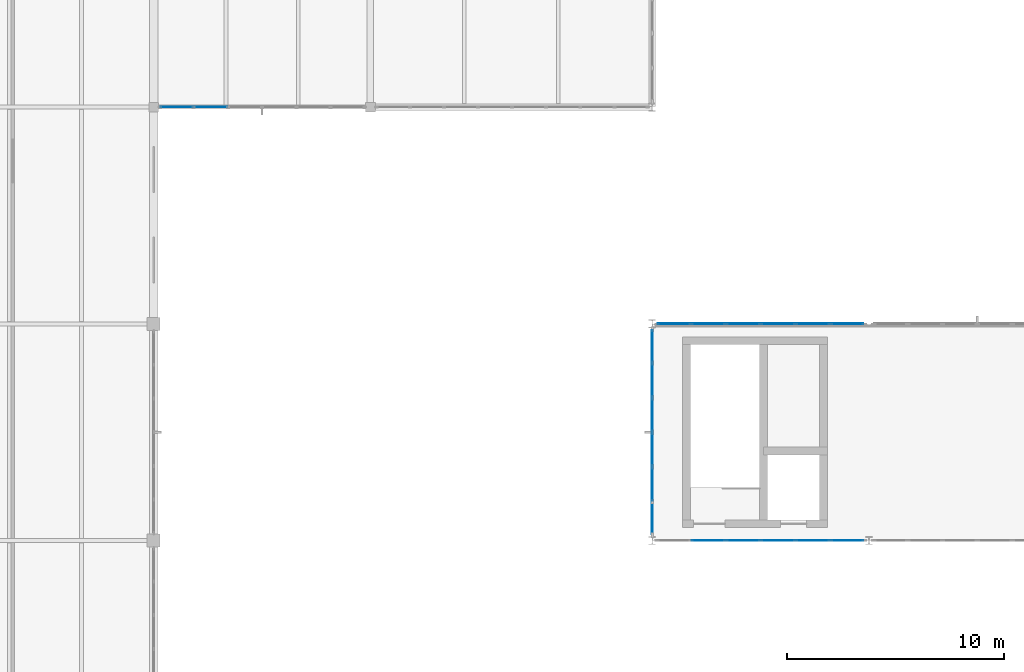
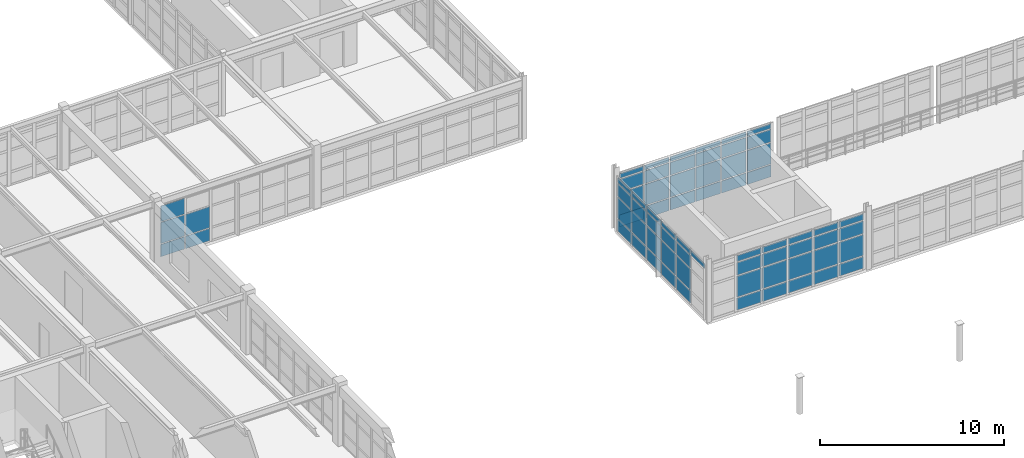
# One storey, part 77 of 122: 70 plates, 4 elements without a shape of their own.
"""IFC4 building model written with IfcOpenShell, lengths in metres."""

from ifc_helpers import new_model, si_unit, direction, frame, origin, origin_2d, place, context, subcontext, project, spatial, rectangle, extrude, material, layer, layer_set, type_object, element, aggregate, save


model = new_model("IFC4")

# Units and contexts
model_context = context("Model", 3, precision=1e-05, world=origin(), true_north=direction((0.0, 1.0)))
body_context = subcontext(model_context, "Body", "Model", "MODEL_VIEW")
ifc_project = project(units=[si_unit("LENGTHUNIT", "METRE"), si_unit("AREAUNIT", "SQUARE_METRE"), si_unit("VOLUMEUNIT", "CUBIC_METRE"), si_unit("PLANEANGLEUNIT", "RADIAN"), si_unit("MASSUNIT", "GRAM", prefix="KILO"), si_unit("THERMODYNAMICTEMPERATUREUNIT", "KELVIN"), si_unit("POWERUNIT", "WATT")], contexts=[model_context])

# Site, building, storey
site_placement = place(None, origin())
site = spatial("IfcSite", under=ifc_project, at=site_placement, CompositionType="ELEMENT")
building_placement = place(site_placement, origin())
building = spatial("IfcBuilding", under=site, at=building_placement, Name="Korenveer Ferry Terminal", CompositionType="ELEMENT")
storey_placement = place(building_placement, frame((0.0, 0.0, 10.199951171875)))
storey = spatial("IfcBuildingStorey", under=building, at=storey_placement, Name="L02", CompositionType="ELEMENT", Elevation=10.199951171875)

# Curtain wall, plates
ifc_material_1 = material(Name="Unitised bronze-and-glass curtain wall", Category="glass")
ifc_layer_1 = layer(ifc_material_1, 0.159912109375)
ifc_layer_set_1 = layer_set([ifc_layer_1], Name="Unitised bronze-and-glass curtain wall")
curtain_wall_type_1 = type_object("IfcCurtainWallType", Name="ENV-CW-89", PredefinedType="USERDEFINED", material=ifc_layer_set_1)
curtain_wall_1_placement = place(storey_placement, frame((30.2548828125, 70.0, 0.0)))
curtain_wall_1 = element("IfcCurtainWall", 1, at=curtain_wall_1_placement, inside=storey, type_object=curtain_wall_type_1, Name="Lancet curtain wall CWX-L02-X30-40-Y70-70", ObjectType="UNITISED CURTAIN WALL", PredefinedType="USERDEFINED")
ifc_material_2 = material(Name="Low-iron solar-control double glazing", Category="glass")
ifc_layer_2 = layer(ifc_material_2, 0.028076171875)
ifc_layer_set_2 = layer_set([ifc_layer_2], Name="Low-iron solar-control double glazing")
plate_type_1 = type_object("IfcPlateType", Name="ENV-CWP-GLZ28", PredefinedType="CURTAIN_PANEL", material=ifc_layer_set_2)
plate_1_placement = place(storey_placement, frame((31.060791015625, 70.0, 0.06005859375), z_axis=(0.0, 0.0, 1.0), x_axis=(1.0, 0.0, 0.0)))
plate_1 = element("IfcPlate", 2, at=plate_1_placement, type_object=plate_type_1, Name="CW-89 panel 1.1", PredefinedType="CURTAIN_PANEL", context=body_context, shape_type="SweptSolid", body=[
    extrude(rectangle(XDim=1.49169921875, YDim=0.028076171875, at=origin_2d()), origin(), (0.0, 0.0, 1.0), 0.81005859375),
])
plate_2_placement = place(storey_placement, frame((31.060791015625, 70.0, 0.93017578125), z_axis=(0.0, 0.0, 1.0), x_axis=(1.0, 0.0, 0.0)))
plate_2 = element("IfcPlate", 3, at=plate_2_placement, type_object=plate_type_1, Name="CW-89 panel 1.2", PredefinedType="CURTAIN_PANEL", context=body_context, shape_type="SweptSolid", body=[
    extrude(rectangle(XDim=1.49169921875, YDim=0.028076171875, at=origin_2d()), origin(), (0.0, 0.0, 1.0), 1.389892578125),
])
plate_3_placement = place(storey_placement, frame((31.060791015625, 70.0, 2.380126953125), z_axis=(0.0, 0.0, 1.0), x_axis=(1.0, 0.0, 0.0)))
plate_3 = element("IfcPlate", 4, at=plate_3_placement, type_object=plate_type_1, Name="CW-89 panel 1.3", PredefinedType="CURTAIN_PANEL", context=body_context, shape_type="SweptSolid", body=[
    extrude(rectangle(XDim=1.49169921875, YDim=0.028076171875, at=origin_2d()), origin(), (0.0, 0.0, 1.0), 1.0400390625),
])
plate_4_placement = place(storey_placement, frame((32.62744140625, 70.0, 0.06005859375), z_axis=(0.0, 0.0, 1.0), x_axis=(1.0, 0.0, 0.0)))
plate_4 = element("IfcPlate", 5, at=plate_4_placement, type_object=plate_type_1, Name="CW-89 panel 2.1", PredefinedType="CURTAIN_PANEL", context=body_context, shape_type="SweptSolid", body=[
    extrude(rectangle(XDim=1.521728515625, YDim=0.028076171875, at=origin_2d()), origin(), (0.0, 0.0, 1.0), 0.81005859375),
])
plate_5_placement = place(storey_placement, frame((32.62744140625, 70.0, 0.93017578125), z_axis=(0.0, 0.0, 1.0), x_axis=(1.0, 0.0, 0.0)))
plate_5 = element("IfcPlate", 6, at=plate_5_placement, type_object=plate_type_1, Name="CW-89 panel 2.2", PredefinedType="CURTAIN_PANEL", context=body_context, shape_type="SweptSolid", body=[
    extrude(rectangle(XDim=1.521728515625, YDim=0.028076171875, at=origin_2d()), origin(), (0.0, 0.0, 1.0), 1.389892578125),
])
aggregate(curtain_wall_1, [plate_1, plate_2, plate_3, plate_4, plate_5])

ifc_layer_3 = layer(ifc_material_1, 0.219970703125)
ifc_layer_set_3 = layer_set([ifc_layer_3], Name="Unitised bronze-and-glass curtain wall")
curtain_wall_type_2 = type_object("IfcCurtainWallType", Name="ENV-CW-90", PredefinedType="USERDEFINED", material=ifc_layer_set_3)
curtain_wall_2_placement = place(storey_placement, frame((53.179931640625, 50.0, 0.0)))
curtain_wall_2 = element("IfcCurtainWall", 7, at=curtain_wall_2_placement, inside=storey, type_object=curtain_wall_type_2, Name="Lancet curtain wall CWX-L02-X53-63-Y50-50", ObjectType="UNITISED CURTAIN WALL", PredefinedType="USERDEFINED")
ifc_material_3 = material(Name="Acoustic laminated marine glazing", Category="glass")
ifc_layer_4 = layer(ifc_material_3, 0.035888671875)
ifc_layer_set_4 = layer_set([ifc_layer_4], Name="Acoustic laminated marine glazing")
plate_type_2 = type_object("IfcPlateType", Name="ENV-CWP-GLZ36", PredefinedType="CURTAIN_PANEL", material=ifc_layer_set_4)
plate_6_placement = place(storey_placement, frame((55.590087890625, 50.0, 0.074951171875), z_axis=(0.0, 0.0, 1.0), x_axis=(1.0, 0.0, 0.0)))
plate_6 = element("IfcPlate", 8, at=plate_6_placement, type_object=plate_type_2, Name="CW-90 panel 2.1", PredefinedType="CURTAIN_PANEL", context=body_context, shape_type="SweptSolid", body=[
    extrude(rectangle(XDim=1.53173828125, YDim=0.035888671875, at=origin_2d()), origin(), (0.0, 0.0, 1.0), 0.78759765625),
])
plate_7_placement = place(storey_placement, frame((55.590087890625, 50.0, 0.9375), z_axis=(0.0, 0.0, 1.0), x_axis=(1.0, 0.0, 0.0)))
plate_7 = element("IfcPlate", 9, at=plate_7_placement, type_object=plate_type_2, Name="CW-90 panel 2.2", PredefinedType="CURTAIN_PANEL", context=body_context, shape_type="SweptSolid", body=[
    extrude(rectangle(XDim=1.53173828125, YDim=0.035888671875, at=origin_2d()), origin(), (0.0, 0.0, 1.0), 1.375),
])
plate_8_placement = place(storey_placement, frame((55.590087890625, 50.0, 2.3876953125), z_axis=(0.0, 0.0, 1.0), x_axis=(1.0, 0.0, 0.0)))
plate_8 = element("IfcPlate", 10, at=plate_8_placement, type_object=plate_type_2, Name="CW-90 panel 2.3", PredefinedType="CURTAIN_PANEL", context=body_context, shape_type="SweptSolid", body=[
    extrude(rectangle(XDim=1.53173828125, YDim=0.035888671875, at=origin_2d()), origin(), (0.0, 0.0, 1.0), 0.824951171875),
])
plate_9_placement = place(storey_placement, frame((55.590087890625, 50.0, 3.28759765625), z_axis=(0.0, 0.0, 1.0), x_axis=(1.0, 0.0, 0.0)))
plate_9 = element("IfcPlate", 11, at=plate_9_placement, type_object=plate_type_2, Name="CW-90 panel 2.4", PredefinedType="CURTAIN_PANEL", context=body_context, shape_type="SweptSolid", body=[
    extrude(rectangle(XDim=1.53173828125, YDim=0.035888671875, at=origin_2d()), origin(), (0.0, 0.0, 1.0), 0.3974609375),
])
plate_10_placement = place(storey_placement, frame((57.19677734375, 50.0, 0.074951171875), z_axis=(0.0, 0.0, 1.0), x_axis=(1.0, 0.0, 0.0)))
plate_10 = element("IfcPlate", 12, at=plate_10_placement, type_object=plate_type_2, Name="CW-90 panel 3.1", PredefinedType="CURTAIN_PANEL", context=body_context, shape_type="SweptSolid", body=[
    extrude(rectangle(XDim=1.53173828125, YDim=0.035888671875, at=origin_2d()), origin(), (0.0, 0.0, 1.0), 0.78759765625),
])
plate_11_placement = place(storey_placement, frame((57.19677734375, 50.0, 0.9375), z_axis=(0.0, 0.0, 1.0), x_axis=(1.0, 0.0, 0.0)))
plate_11 = element("IfcPlate", 13, at=plate_11_placement, type_object=plate_type_2, Name="CW-90 panel 3.2", PredefinedType="CURTAIN_PANEL", context=body_context, shape_type="SweptSolid", body=[
    extrude(rectangle(XDim=1.53173828125, YDim=0.035888671875, at=origin_2d()), origin(), (0.0, 0.0, 1.0), 1.375),
])
plate_12_placement = place(storey_placement, frame((57.19677734375, 50.0, 2.3876953125), z_axis=(0.0, 0.0, 1.0), x_axis=(1.0, 0.0, 0.0)))
plate_12 = element("IfcPlate", 14, at=plate_12_placement, type_object=plate_type_2, Name="CW-90 panel 3.3", PredefinedType="CURTAIN_PANEL", context=body_context, shape_type="SweptSolid", body=[
    extrude(rectangle(XDim=1.53173828125, YDim=0.035888671875, at=origin_2d()), origin(), (0.0, 0.0, 1.0), 0.824951171875),
])
plate_13_placement = place(storey_placement, frame((57.19677734375, 50.0, 3.28759765625), z_axis=(0.0, 0.0, 1.0), x_axis=(1.0, 0.0, 0.0)))
plate_13 = element("IfcPlate", 15, at=plate_13_placement, type_object=plate_type_2, Name="CW-90 panel 3.4", PredefinedType="CURTAIN_PANEL", context=body_context, shape_type="SweptSolid", body=[
    extrude(rectangle(XDim=1.53173828125, YDim=0.035888671875, at=origin_2d()), origin(), (0.0, 0.0, 1.0), 0.3974609375),
])
plate_14_placement = place(storey_placement, frame((58.80322265625, 50.0, 0.074951171875), z_axis=(0.0, 0.0, 1.0), x_axis=(1.0, 0.0, 0.0)))
plate_14 = element("IfcPlate", 16, at=plate_14_placement, type_object=plate_type_2, Name="CW-90 panel 4.1", PredefinedType="CURTAIN_PANEL", context=body_context, shape_type="SweptSolid", body=[
    extrude(rectangle(XDim=1.53173828125, YDim=0.035888671875, at=origin_2d()), origin(), (0.0, 0.0, 1.0), 0.78759765625),
])
plate_15_placement = place(storey_placement, frame((58.80322265625, 50.0, 0.9375), z_axis=(0.0, 0.0, 1.0), x_axis=(1.0, 0.0, 0.0)))
plate_15 = element("IfcPlate", 17, at=plate_15_placement, type_object=plate_type_2, Name="CW-90 panel 4.2", PredefinedType="CURTAIN_PANEL", context=body_context, shape_type="SweptSolid", body=[
    extrude(rectangle(XDim=1.53173828125, YDim=0.035888671875, at=origin_2d()), origin(), (0.0, 0.0, 1.0), 1.375),
])
plate_16_placement = place(storey_placement, frame((58.80322265625, 50.0, 2.3876953125), z_axis=(0.0, 0.0, 1.0), x_axis=(1.0, 0.0, 0.0)))
plate_16 = element("IfcPlate", 18, at=plate_16_placement, type_object=plate_type_2, Name="CW-90 panel 4.3", PredefinedType="CURTAIN_PANEL", context=body_context, shape_type="SweptSolid", body=[
    extrude(rectangle(XDim=1.53173828125, YDim=0.035888671875, at=origin_2d()), origin(), (0.0, 0.0, 1.0), 0.824951171875),
])
plate_17_placement = place(storey_placement, frame((58.80322265625, 50.0, 3.28759765625), z_axis=(0.0, 0.0, 1.0), x_axis=(1.0, 0.0, 0.0)))
plate_17 = element("IfcPlate", 19, at=plate_17_placement, type_object=plate_type_2, Name="CW-90 panel 4.4", PredefinedType="CURTAIN_PANEL", context=body_context, shape_type="SweptSolid", body=[
    extrude(rectangle(XDim=1.53173828125, YDim=0.035888671875, at=origin_2d()), origin(), (0.0, 0.0, 1.0), 0.3974609375),
])
plate_18_placement = place(storey_placement, frame((60.409912109375, 50.0, 0.074951171875), z_axis=(0.0, 0.0, 1.0), x_axis=(1.0, 0.0, 0.0)))
plate_18 = element("IfcPlate", 20, at=plate_18_placement, type_object=plate_type_2, Name="CW-90 panel 5.1", PredefinedType="CURTAIN_PANEL", context=body_context, shape_type="SweptSolid", body=[
    extrude(rectangle(XDim=1.53173828125, YDim=0.035888671875, at=origin_2d()), origin(), (0.0, 0.0, 1.0), 0.78759765625),
])
plate_19_placement = place(storey_placement, frame((60.409912109375, 50.0, 0.9375), z_axis=(0.0, 0.0, 1.0), x_axis=(1.0, 0.0, 0.0)))
plate_19 = element("IfcPlate", 21, at=plate_19_placement, type_object=plate_type_2, Name="CW-90 panel 5.2", PredefinedType="CURTAIN_PANEL", context=body_context, shape_type="SweptSolid", body=[
    extrude(rectangle(XDim=1.53173828125, YDim=0.035888671875, at=origin_2d()), origin(), (0.0, 0.0, 1.0), 1.375),
])
plate_20_placement = place(storey_placement, frame((60.409912109375, 50.0, 2.3876953125), z_axis=(0.0, 0.0, 1.0), x_axis=(1.0, 0.0, 0.0)))
plate_20 = element("IfcPlate", 22, at=plate_20_placement, type_object=plate_type_2, Name="CW-90 panel 5.3", PredefinedType="CURTAIN_PANEL", context=body_context, shape_type="SweptSolid", body=[
    extrude(rectangle(XDim=1.53173828125, YDim=0.035888671875, at=origin_2d()), origin(), (0.0, 0.0, 1.0), 0.824951171875),
])
plate_21_placement = place(storey_placement, frame((60.409912109375, 50.0, 3.28759765625), z_axis=(0.0, 0.0, 1.0), x_axis=(1.0, 0.0, 0.0)))
plate_21 = element("IfcPlate", 23, at=plate_21_placement, type_object=plate_type_2, Name="CW-90 panel 5.4", PredefinedType="CURTAIN_PANEL", context=body_context, shape_type="SweptSolid", body=[
    extrude(rectangle(XDim=1.53173828125, YDim=0.035888671875, at=origin_2d()), origin(), (0.0, 0.0, 1.0), 0.3974609375),
])
plate_22_placement = place(storey_placement, frame((61.997802734375, 50.0, 0.074951171875), z_axis=(0.0, 0.0, 1.0), x_axis=(1.0, 0.0, 0.0)))
plate_22 = element("IfcPlate", 24, at=plate_22_placement, type_object=plate_type_2, Name="CW-90 panel 6.1", PredefinedType="CURTAIN_PANEL", context=body_context, shape_type="SweptSolid", body=[
    extrude(rectangle(XDim=1.494140625, YDim=0.035888671875, at=origin_2d()), origin(), (0.0, 0.0, 1.0), 0.78759765625),
])
plate_23_placement = place(storey_placement, frame((61.997802734375, 50.0, 0.9375), z_axis=(0.0, 0.0, 1.0), x_axis=(1.0, 0.0, 0.0)))
plate_23 = element("IfcPlate", 25, at=plate_23_placement, type_object=plate_type_2, Name="CW-90 panel 6.2", PredefinedType="CURTAIN_PANEL", context=body_context, shape_type="SweptSolid", body=[
    extrude(rectangle(XDim=1.494140625, YDim=0.035888671875, at=origin_2d()), origin(), (0.0, 0.0, 1.0), 1.375),
])
plate_24_placement = place(storey_placement, frame((61.997802734375, 50.0, 2.3876953125), z_axis=(0.0, 0.0, 1.0), x_axis=(1.0, 0.0, 0.0)))
plate_24 = element("IfcPlate", 26, at=plate_24_placement, type_object=plate_type_2, Name="CW-90 panel 6.3", PredefinedType="CURTAIN_PANEL", context=body_context, shape_type="SweptSolid", body=[
    extrude(rectangle(XDim=1.494140625, YDim=0.035888671875, at=origin_2d()), origin(), (0.0, 0.0, 1.0), 0.824951171875),
])
plate_25_placement = place(storey_placement, frame((61.997802734375, 50.0, 3.28759765625), z_axis=(0.0, 0.0, 1.0), x_axis=(1.0, 0.0, 0.0)))
plate_25 = element("IfcPlate", 27, at=plate_25_placement, type_object=plate_type_2, Name="CW-90 panel 6.4", PredefinedType="CURTAIN_PANEL", context=body_context, shape_type="SweptSolid", body=[
    extrude(rectangle(XDim=1.494140625, YDim=0.035888671875, at=origin_2d()), origin(), (0.0, 0.0, 1.0), 0.3974609375),
])
aggregate(curtain_wall_2, [plate_6, plate_7, plate_8, plate_9, plate_10, plate_11, plate_12, plate_13, plate_14, plate_15, plate_16, plate_17, plate_18, plate_19, plate_20, plate_21, plate_22, plate_23, plate_24, plate_25])

ifc_layer_5 = layer(ifc_material_1, 0.219970703125)
ifc_layer_set_5 = layer_set([ifc_layer_5], Name="Unitised bronze-and-glass curtain wall")
curtain_wall_type_3 = type_object("IfcCurtainWallType", Name="ENV-CW-91", PredefinedType="USERDEFINED", material=ifc_layer_set_5)
curtain_wall_3_placement = place(storey_placement, frame((53.179931640625, 60.0, 0.0)))
curtain_wall_3 = element("IfcCurtainWall", 28, at=curtain_wall_3_placement, inside=storey, type_object=curtain_wall_type_3, Name="Lancet curtain wall CWX-L02-X53-63-Y60-60", ObjectType="UNITISED CURTAIN WALL", PredefinedType="USERDEFINED")
plate_26_placement = place(storey_placement, frame((54.002197265625, 60.0, 0.074951171875), z_axis=(0.0, 0.0, 1.0), x_axis=(1.0, 0.0, 0.0)))
plate_26 = element("IfcPlate", 29, at=plate_26_placement, type_object=plate_type_2, Name="CW-91 panel 1.1", PredefinedType="CURTAIN_PANEL", context=body_context, shape_type="SweptSolid", body=[
    extrude(rectangle(XDim=1.494140625, YDim=0.035888671875, at=origin_2d()), origin(), (0.0, 0.0, 1.0), 0.78759765625),
])
plate_27_placement = place(storey_placement, frame((54.002197265625, 60.0, 0.9375), z_axis=(0.0, 0.0, 1.0), x_axis=(1.0, 0.0, 0.0)))
plate_27 = element("IfcPlate", 30, at=plate_27_placement, type_object=plate_type_2, Name="CW-91 panel 1.2", PredefinedType="CURTAIN_PANEL", context=body_context, shape_type="SweptSolid", body=[
    extrude(rectangle(XDim=1.494140625, YDim=0.035888671875, at=origin_2d()), origin(), (0.0, 0.0, 1.0), 1.375),
])
plate_28_placement = place(storey_placement, frame((54.002197265625, 60.0, 2.3876953125), z_axis=(0.0, 0.0, 1.0), x_axis=(1.0, 0.0, 0.0)))
plate_28 = element("IfcPlate", 31, at=plate_28_placement, type_object=plate_type_2, Name="CW-91 panel 1.3", PredefinedType="CURTAIN_PANEL", context=body_context, shape_type="SweptSolid", body=[
    extrude(rectangle(XDim=1.494140625, YDim=0.035888671875, at=origin_2d()), origin(), (0.0, 0.0, 1.0), 0.824951171875),
])
plate_29_placement = place(storey_placement, frame((54.002197265625, 60.0, 3.28759765625), z_axis=(0.0, 0.0, 1.0), x_axis=(1.0, 0.0, 0.0)))
plate_29 = element("IfcPlate", 32, at=plate_29_placement, type_object=plate_type_2, Name="CW-91 panel 1.4", PredefinedType="CURTAIN_PANEL", context=body_context, shape_type="SweptSolid", body=[
    extrude(rectangle(XDim=1.494140625, YDim=0.035888671875, at=origin_2d()), origin(), (0.0, 0.0, 1.0), 0.297607421875),
])
plate_30_placement = place(storey_placement, frame((55.590087890625, 60.0, 0.074951171875), z_axis=(0.0, 0.0, 1.0), x_axis=(1.0, 0.0, 0.0)))
plate_30 = element("IfcPlate", 33, at=plate_30_placement, type_object=plate_type_2, Name="CW-91 panel 2.1", PredefinedType="CURTAIN_PANEL", context=body_context, shape_type="SweptSolid", body=[
    extrude(rectangle(XDim=1.53173828125, YDim=0.035888671875, at=origin_2d()), origin(), (0.0, 0.0, 1.0), 0.78759765625),
])
plate_31_placement = place(storey_placement, frame((55.590087890625, 60.0, 0.9375), z_axis=(0.0, 0.0, 1.0), x_axis=(1.0, 0.0, 0.0)))
plate_31 = element("IfcPlate", 34, at=plate_31_placement, type_object=plate_type_2, Name="CW-91 panel 2.2", PredefinedType="CURTAIN_PANEL", context=body_context, shape_type="SweptSolid", body=[
    extrude(rectangle(XDim=1.53173828125, YDim=0.035888671875, at=origin_2d()), origin(), (0.0, 0.0, 1.0), 1.375),
])
plate_32_placement = place(storey_placement, frame((55.590087890625, 60.0, 2.3876953125), z_axis=(0.0, 0.0, 1.0), x_axis=(1.0, 0.0, 0.0)))
plate_32 = element("IfcPlate", 35, at=plate_32_placement, type_object=plate_type_2, Name="CW-91 panel 2.3", PredefinedType="CURTAIN_PANEL", context=body_context, shape_type="SweptSolid", body=[
    extrude(rectangle(XDim=1.53173828125, YDim=0.035888671875, at=origin_2d()), origin(), (0.0, 0.0, 1.0), 0.824951171875),
])
plate_33_placement = place(storey_placement, frame((55.590087890625, 60.0, 3.28759765625), z_axis=(0.0, 0.0, 1.0), x_axis=(1.0, 0.0, 0.0)))
plate_33 = element("IfcPlate", 36, at=plate_33_placement, type_object=plate_type_2, Name="CW-91 panel 2.4", PredefinedType="CURTAIN_PANEL", context=body_context, shape_type="SweptSolid", body=[
    extrude(rectangle(XDim=1.53173828125, YDim=0.035888671875, at=origin_2d()), origin(), (0.0, 0.0, 1.0), 0.297607421875),
])
plate_34_placement = place(storey_placement, frame((57.19677734375, 60.0, 0.074951171875), z_axis=(0.0, 0.0, 1.0), x_axis=(1.0, 0.0, 0.0)))
plate_34 = element("IfcPlate", 37, at=plate_34_placement, type_object=plate_type_2, Name="CW-91 panel 3.1", PredefinedType="CURTAIN_PANEL", context=body_context, shape_type="SweptSolid", body=[
    extrude(rectangle(XDim=1.53173828125, YDim=0.035888671875, at=origin_2d()), origin(), (0.0, 0.0, 1.0), 0.78759765625),
])
plate_35_placement = place(storey_placement, frame((57.19677734375, 60.0, 0.9375), z_axis=(0.0, 0.0, 1.0), x_axis=(1.0, 0.0, 0.0)))
plate_35 = element("IfcPlate", 38, at=plate_35_placement, type_object=plate_type_2, Name="CW-91 panel 3.2", PredefinedType="CURTAIN_PANEL", context=body_context, shape_type="SweptSolid", body=[
    extrude(rectangle(XDim=1.53173828125, YDim=0.035888671875, at=origin_2d()), origin(), (0.0, 0.0, 1.0), 1.375),
])
plate_36_placement = place(storey_placement, frame((57.19677734375, 60.0, 2.3876953125), z_axis=(0.0, 0.0, 1.0), x_axis=(1.0, 0.0, 0.0)))
plate_36 = element("IfcPlate", 39, at=plate_36_placement, type_object=plate_type_2, Name="CW-91 panel 3.3", PredefinedType="CURTAIN_PANEL", context=body_context, shape_type="SweptSolid", body=[
    extrude(rectangle(XDim=1.53173828125, YDim=0.035888671875, at=origin_2d()), origin(), (0.0, 0.0, 1.0), 0.824951171875),
])
plate_37_placement = place(storey_placement, frame((57.19677734375, 60.0, 3.28759765625), z_axis=(0.0, 0.0, 1.0), x_axis=(1.0, 0.0, 0.0)))
plate_37 = element("IfcPlate", 40, at=plate_37_placement, type_object=plate_type_2, Name="CW-91 panel 3.4", PredefinedType="CURTAIN_PANEL", context=body_context, shape_type="SweptSolid", body=[
    extrude(rectangle(XDim=1.53173828125, YDim=0.035888671875, at=origin_2d()), origin(), (0.0, 0.0, 1.0), 0.297607421875),
])
plate_38_placement = place(storey_placement, frame((58.80322265625, 60.0, 0.074951171875), z_axis=(0.0, 0.0, 1.0), x_axis=(1.0, 0.0, 0.0)))
plate_38 = element("IfcPlate", 41, at=plate_38_placement, type_object=plate_type_2, Name="CW-91 panel 4.1", PredefinedType="CURTAIN_PANEL", context=body_context, shape_type="SweptSolid", body=[
    extrude(rectangle(XDim=1.53173828125, YDim=0.035888671875, at=origin_2d()), origin(), (0.0, 0.0, 1.0), 0.78759765625),
])
plate_39_placement = place(storey_placement, frame((58.80322265625, 60.0, 0.9375), z_axis=(0.0, 0.0, 1.0), x_axis=(1.0, 0.0, 0.0)))
plate_39 = element("IfcPlate", 42, at=plate_39_placement, type_object=plate_type_2, Name="CW-91 panel 4.2", PredefinedType="CURTAIN_PANEL", context=body_context, shape_type="SweptSolid", body=[
    extrude(rectangle(XDim=1.53173828125, YDim=0.035888671875, at=origin_2d()), origin(), (0.0, 0.0, 1.0), 1.375),
])
plate_40_placement = place(storey_placement, frame((58.80322265625, 60.0, 2.3876953125), z_axis=(0.0, 0.0, 1.0), x_axis=(1.0, 0.0, 0.0)))
plate_40 = element("IfcPlate", 43, at=plate_40_placement, type_object=plate_type_2, Name="CW-91 panel 4.3", PredefinedType="CURTAIN_PANEL", context=body_context, shape_type="SweptSolid", body=[
    extrude(rectangle(XDim=1.53173828125, YDim=0.035888671875, at=origin_2d()), origin(), (0.0, 0.0, 1.0), 0.824951171875),
])
plate_41_placement = place(storey_placement, frame((58.80322265625, 60.0, 3.28759765625), z_axis=(0.0, 0.0, 1.0), x_axis=(1.0, 0.0, 0.0)))
plate_41 = element("IfcPlate", 44, at=plate_41_placement, type_object=plate_type_2, Name="CW-91 panel 4.4", PredefinedType="CURTAIN_PANEL", context=body_context, shape_type="SweptSolid", body=[
    extrude(rectangle(XDim=1.53173828125, YDim=0.035888671875, at=origin_2d()), origin(), (0.0, 0.0, 1.0), 0.297607421875),
])
plate_42_placement = place(storey_placement, frame((60.409912109375, 60.0, 0.074951171875), z_axis=(0.0, 0.0, 1.0), x_axis=(1.0, 0.0, 0.0)))
plate_42 = element("IfcPlate", 45, at=plate_42_placement, type_object=plate_type_2, Name="CW-91 panel 5.1", PredefinedType="CURTAIN_PANEL", context=body_context, shape_type="SweptSolid", body=[
    extrude(rectangle(XDim=1.53173828125, YDim=0.035888671875, at=origin_2d()), origin(), (0.0, 0.0, 1.0), 0.78759765625),
])
plate_43_placement = place(storey_placement, frame((60.409912109375, 60.0, 0.9375), z_axis=(0.0, 0.0, 1.0), x_axis=(1.0, 0.0, 0.0)))
plate_43 = element("IfcPlate", 46, at=plate_43_placement, type_object=plate_type_2, Name="CW-91 panel 5.2", PredefinedType="CURTAIN_PANEL", context=body_context, shape_type="SweptSolid", body=[
    extrude(rectangle(XDim=1.53173828125, YDim=0.035888671875, at=origin_2d()), origin(), (0.0, 0.0, 1.0), 1.375),
])
plate_44_placement = place(storey_placement, frame((60.409912109375, 60.0, 2.3876953125), z_axis=(0.0, 0.0, 1.0), x_axis=(1.0, 0.0, 0.0)))
plate_44 = element("IfcPlate", 47, at=plate_44_placement, type_object=plate_type_2, Name="CW-91 panel 5.3", PredefinedType="CURTAIN_PANEL", context=body_context, shape_type="SweptSolid", body=[
    extrude(rectangle(XDim=1.53173828125, YDim=0.035888671875, at=origin_2d()), origin(), (0.0, 0.0, 1.0), 0.824951171875),
])
plate_45_placement = place(storey_placement, frame((60.409912109375, 60.0, 3.28759765625), z_axis=(0.0, 0.0, 1.0), x_axis=(1.0, 0.0, 0.0)))
plate_45 = element("IfcPlate", 48, at=plate_45_placement, type_object=plate_type_2, Name="CW-91 panel 5.4", PredefinedType="CURTAIN_PANEL", context=body_context, shape_type="SweptSolid", body=[
    extrude(rectangle(XDim=1.53173828125, YDim=0.035888671875, at=origin_2d()), origin(), (0.0, 0.0, 1.0), 0.297607421875),
])
plate_46_placement = place(storey_placement, frame((61.997802734375, 60.0, 0.074951171875), z_axis=(0.0, 0.0, 1.0), x_axis=(1.0, 0.0, 0.0)))
plate_46 = element("IfcPlate", 49, at=plate_46_placement, type_object=plate_type_2, Name="CW-91 panel 6.1", PredefinedType="CURTAIN_PANEL", context=body_context, shape_type="SweptSolid", body=[
    extrude(rectangle(XDim=1.494140625, YDim=0.035888671875, at=origin_2d()), origin(), (0.0, 0.0, 1.0), 0.78759765625),
])
plate_47_placement = place(storey_placement, frame((61.997802734375, 60.0, 0.9375), z_axis=(0.0, 0.0, 1.0), x_axis=(1.0, 0.0, 0.0)))
plate_47 = element("IfcPlate", 50, at=plate_47_placement, type_object=plate_type_2, Name="CW-91 panel 6.2", PredefinedType="CURTAIN_PANEL", context=body_context, shape_type="SweptSolid", body=[
    extrude(rectangle(XDim=1.494140625, YDim=0.035888671875, at=origin_2d()), origin(), (0.0, 0.0, 1.0), 1.375),
])
plate_48_placement = place(storey_placement, frame((61.997802734375, 60.0, 2.3876953125), z_axis=(0.0, 0.0, 1.0), x_axis=(1.0, 0.0, 0.0)))
plate_48 = element("IfcPlate", 51, at=plate_48_placement, type_object=plate_type_2, Name="CW-91 panel 6.3", PredefinedType="CURTAIN_PANEL", context=body_context, shape_type="SweptSolid", body=[
    extrude(rectangle(XDim=1.494140625, YDim=0.035888671875, at=origin_2d()), origin(), (0.0, 0.0, 1.0), 0.824951171875),
])
plate_49_placement = place(storey_placement, frame((61.997802734375, 60.0, 3.28759765625), z_axis=(0.0, 0.0, 1.0), x_axis=(1.0, 0.0, 0.0)))
plate_49 = element("IfcPlate", 52, at=plate_49_placement, type_object=plate_type_2, Name="CW-91 panel 6.4", PredefinedType="CURTAIN_PANEL", context=body_context, shape_type="SweptSolid", body=[
    extrude(rectangle(XDim=1.494140625, YDim=0.035888671875, at=origin_2d()), origin(), (0.0, 0.0, 1.0), 0.297607421875),
])
aggregate(curtain_wall_3, [plate_26, plate_27, plate_28, plate_29, plate_30, plate_31, plate_32, plate_33, plate_34, plate_35, plate_36, plate_37, plate_38, plate_39, plate_40, plate_41, plate_42, plate_43, plate_44, plate_45, plate_46, plate_47, plate_48, plate_49])

ifc_layer_6 = layer(ifc_material_1, 0.219970703125)
ifc_layer_set_6 = layer_set([ifc_layer_6], Name="Unitised bronze-and-glass curtain wall")
curtain_wall_type_4 = type_object("IfcCurtainWallType", Name="ENV-CW-115", PredefinedType="USERDEFINED", material=ifc_layer_set_6)
curtain_wall_4_placement = place(storey_placement, frame((53.0, 50.2099609375, 0.0)))
curtain_wall_4 = element("IfcCurtainWall", 53, at=curtain_wall_4_placement, inside=storey, type_object=curtain_wall_type_4, Name="Lancet curtain wall CWX-L02-X53-53-Y50-60", ObjectType="UNITISED CURTAIN WALL", PredefinedType="USERDEFINED")
plate_50_placement = place(storey_placement, frame((53.0, 51.027099609375, 3.28759765625), z_axis=(0.0, 0.0, 1.0), x_axis=(0.0, 1.0, 0.0)))
plate_50 = element("IfcPlate", 54, at=plate_50_placement, type_object=plate_type_2, Name="CW-115 panel 1.4", PredefinedType="CURTAIN_PANEL", context=body_context, shape_type="SweptSolid", body=[
    extrude(rectangle(XDim=1.484130859375, YDim=0.035888671875, at=origin_2d()), origin(), (0.0, 0.0, 1.0), 0.297607421875),
])
plate_51_placement = place(storey_placement, frame((53.0, 52.60498046875, 0.074951171875), z_axis=(0.0, 0.0, 1.0), x_axis=(0.0, 1.0, 0.0)))
plate_51 = element("IfcPlate", 55, at=plate_51_placement, type_object=plate_type_2, Name="CW-115 panel 2.1", PredefinedType="CURTAIN_PANEL", context=body_context, shape_type="SweptSolid", body=[
    extrude(rectangle(XDim=1.521728515625, YDim=0.035888671875, at=origin_2d()), origin(), (0.0, 0.0, 1.0), 0.78759765625),
])
plate_52_placement = place(storey_placement, frame((53.0, 52.60498046875, 0.9375), z_axis=(0.0, 0.0, 1.0), x_axis=(0.0, 1.0, 0.0)))
plate_52 = element("IfcPlate", 56, at=plate_52_placement, type_object=plate_type_2, Name="CW-115 panel 2.2", PredefinedType="CURTAIN_PANEL", context=body_context, shape_type="SweptSolid", body=[
    extrude(rectangle(XDim=1.521728515625, YDim=0.035888671875, at=origin_2d()), origin(), (0.0, 0.0, 1.0), 1.375),
])
plate_53_placement = place(storey_placement, frame((53.0, 52.60498046875, 2.3876953125), z_axis=(0.0, 0.0, 1.0), x_axis=(0.0, 1.0, 0.0)))
plate_53 = element("IfcPlate", 57, at=plate_53_placement, type_object=plate_type_2, Name="CW-115 panel 2.3", PredefinedType="CURTAIN_PANEL", context=body_context, shape_type="SweptSolid", body=[
    extrude(rectangle(XDim=1.521728515625, YDim=0.035888671875, at=origin_2d()), origin(), (0.0, 0.0, 1.0), 0.824951171875),
])
plate_54_placement = place(storey_placement, frame((53.0, 52.60498046875, 3.28759765625), z_axis=(0.0, 0.0, 1.0), x_axis=(0.0, 1.0, 0.0)))
plate_54 = element("IfcPlate", 58, at=plate_54_placement, type_object=plate_type_2, Name="CW-115 panel 2.4", PredefinedType="CURTAIN_PANEL", context=body_context, shape_type="SweptSolid", body=[
    extrude(rectangle(XDim=1.521728515625, YDim=0.035888671875, at=origin_2d()), origin(), (0.0, 0.0, 1.0), 0.297607421875),
])
plate_55_placement = place(storey_placement, frame((53.0, 54.20166015625, 0.074951171875), z_axis=(0.0, 0.0, 1.0), x_axis=(0.0, 1.0, 0.0)))
plate_55 = element("IfcPlate", 59, at=plate_55_placement, type_object=plate_type_2, Name="CW-115 panel 3.1", PredefinedType="CURTAIN_PANEL", context=body_context, shape_type="SweptSolid", body=[
    extrude(rectangle(XDim=1.521728515625, YDim=0.035888671875, at=origin_2d()), origin(), (0.0, 0.0, 1.0), 0.78759765625),
])
plate_56_placement = place(storey_placement, frame((53.0, 54.20166015625, 0.9375), z_axis=(0.0, 0.0, 1.0), x_axis=(0.0, 1.0, 0.0)))
plate_56 = element("IfcPlate", 60, at=plate_56_placement, type_object=plate_type_2, Name="CW-115 panel 3.2", PredefinedType="CURTAIN_PANEL", context=body_context, shape_type="SweptSolid", body=[
    extrude(rectangle(XDim=1.521728515625, YDim=0.035888671875, at=origin_2d()), origin(), (0.0, 0.0, 1.0), 1.375),
])
plate_57_placement = place(storey_placement, frame((53.0, 54.20166015625, 2.3876953125), z_axis=(0.0, 0.0, 1.0), x_axis=(0.0, 1.0, 0.0)))
plate_57 = element("IfcPlate", 61, at=plate_57_placement, type_object=plate_type_2, Name="CW-115 panel 3.3", PredefinedType="CURTAIN_PANEL", context=body_context, shape_type="SweptSolid", body=[
    extrude(rectangle(XDim=1.521728515625, YDim=0.035888671875, at=origin_2d()), origin(), (0.0, 0.0, 1.0), 0.824951171875),
])
plate_58_placement = place(storey_placement, frame((53.0, 54.20166015625, 3.28759765625), z_axis=(0.0, 0.0, 1.0), x_axis=(0.0, 1.0, 0.0)))
plate_58 = element("IfcPlate", 62, at=plate_58_placement, type_object=plate_type_2, Name="CW-115 panel 3.4", PredefinedType="CURTAIN_PANEL", context=body_context, shape_type="SweptSolid", body=[
    extrude(rectangle(XDim=1.521728515625, YDim=0.035888671875, at=origin_2d()), origin(), (0.0, 0.0, 1.0), 0.297607421875),
])
plate_59_placement = place(storey_placement, frame((53.0, 55.79833984375, 0.074951171875), z_axis=(0.0, 0.0, 1.0), x_axis=(0.0, 1.0, 0.0)))
plate_59 = element("IfcPlate", 63, at=plate_59_placement, type_object=plate_type_2, Name="CW-115 panel 4.1", PredefinedType="CURTAIN_PANEL", context=body_context, shape_type="SweptSolid", body=[
    extrude(rectangle(XDim=1.521728515625, YDim=0.035888671875, at=origin_2d()), origin(), (0.0, 0.0, 1.0), 0.78759765625),
])
plate_60_placement = place(storey_placement, frame((53.0, 55.79833984375, 0.9375), z_axis=(0.0, 0.0, 1.0), x_axis=(0.0, 1.0, 0.0)))
plate_60 = element("IfcPlate", 64, at=plate_60_placement, type_object=plate_type_2, Name="CW-115 panel 4.2", PredefinedType="CURTAIN_PANEL", context=body_context, shape_type="SweptSolid", body=[
    extrude(rectangle(XDim=1.521728515625, YDim=0.035888671875, at=origin_2d()), origin(), (0.0, 0.0, 1.0), 1.375),
])
plate_61_placement = place(storey_placement, frame((53.0, 55.79833984375, 2.3876953125), z_axis=(0.0, 0.0, 1.0), x_axis=(0.0, 1.0, 0.0)))
plate_61 = element("IfcPlate", 65, at=plate_61_placement, type_object=plate_type_2, Name="CW-115 panel 4.3", PredefinedType="CURTAIN_PANEL", context=body_context, shape_type="SweptSolid", body=[
    extrude(rectangle(XDim=1.521728515625, YDim=0.035888671875, at=origin_2d()), origin(), (0.0, 0.0, 1.0), 0.824951171875),
])
plate_62_placement = place(storey_placement, frame((53.0, 55.79833984375, 3.28759765625), z_axis=(0.0, 0.0, 1.0), x_axis=(0.0, 1.0, 0.0)))
plate_62 = element("IfcPlate", 66, at=plate_62_placement, type_object=plate_type_2, Name="CW-115 panel 4.4", PredefinedType="CURTAIN_PANEL", context=body_context, shape_type="SweptSolid", body=[
    extrude(rectangle(XDim=1.521728515625, YDim=0.035888671875, at=origin_2d()), origin(), (0.0, 0.0, 1.0), 0.297607421875),
])
plate_63_placement = place(storey_placement, frame((53.0, 57.39501953125, 0.074951171875), z_axis=(0.0, 0.0, 1.0), x_axis=(0.0, 1.0, 0.0)))
plate_63 = element("IfcPlate", 67, at=plate_63_placement, type_object=plate_type_2, Name="CW-115 panel 5.1", PredefinedType="CURTAIN_PANEL", context=body_context, shape_type="SweptSolid", body=[
    extrude(rectangle(XDim=1.521728515625, YDim=0.035888671875, at=origin_2d()), origin(), (0.0, 0.0, 1.0), 0.78759765625),
])
plate_64_placement = place(storey_placement, frame((53.0, 57.39501953125, 0.9375), z_axis=(0.0, 0.0, 1.0), x_axis=(0.0, 1.0, 0.0)))
plate_64 = element("IfcPlate", 68, at=plate_64_placement, type_object=plate_type_2, Name="CW-115 panel 5.2", PredefinedType="CURTAIN_PANEL", context=body_context, shape_type="SweptSolid", body=[
    extrude(rectangle(XDim=1.521728515625, YDim=0.035888671875, at=origin_2d()), origin(), (0.0, 0.0, 1.0), 1.375),
])
plate_65_placement = place(storey_placement, frame((53.0, 57.39501953125, 2.3876953125), z_axis=(0.0, 0.0, 1.0), x_axis=(0.0, 1.0, 0.0)))
plate_65 = element("IfcPlate", 69, at=plate_65_placement, type_object=plate_type_2, Name="CW-115 panel 5.3", PredefinedType="CURTAIN_PANEL", context=body_context, shape_type="SweptSolid", body=[
    extrude(rectangle(XDim=1.521728515625, YDim=0.035888671875, at=origin_2d()), origin(), (0.0, 0.0, 1.0), 0.824951171875),
])
plate_66_placement = place(storey_placement, frame((53.0, 57.39501953125, 3.28759765625), z_axis=(0.0, 0.0, 1.0), x_axis=(0.0, 1.0, 0.0)))
plate_66 = element("IfcPlate", 70, at=plate_66_placement, type_object=plate_type_2, Name="CW-115 panel 5.4", PredefinedType="CURTAIN_PANEL", context=body_context, shape_type="SweptSolid", body=[
    extrude(rectangle(XDim=1.521728515625, YDim=0.035888671875, at=origin_2d()), origin(), (0.0, 0.0, 1.0), 0.297607421875),
])
plate_67_placement = place(storey_placement, frame((53.0, 58.972900390625, 0.074951171875), z_axis=(0.0, 0.0, 1.0), x_axis=(0.0, 1.0, 0.0)))
plate_67 = element("IfcPlate", 71, at=plate_67_placement, type_object=plate_type_2, Name="CW-115 panel 6.1", PredefinedType="CURTAIN_PANEL", context=body_context, shape_type="SweptSolid", body=[
    extrude(rectangle(XDim=1.484130859375, YDim=0.035888671875, at=origin_2d()), origin(), (0.0, 0.0, 1.0), 0.78759765625),
])
plate_68_placement = place(storey_placement, frame((53.0, 58.972900390625, 0.9375), z_axis=(0.0, 0.0, 1.0), x_axis=(0.0, 1.0, 0.0)))
plate_68 = element("IfcPlate", 72, at=plate_68_placement, type_object=plate_type_2, Name="CW-115 panel 6.2", PredefinedType="CURTAIN_PANEL", context=body_context, shape_type="SweptSolid", body=[
    extrude(rectangle(XDim=1.484130859375, YDim=0.035888671875, at=origin_2d()), origin(), (0.0, 0.0, 1.0), 1.375),
])
plate_69_placement = place(storey_placement, frame((53.0, 58.972900390625, 2.3876953125), z_axis=(0.0, 0.0, 1.0), x_axis=(0.0, 1.0, 0.0)))
plate_69 = element("IfcPlate", 73, at=plate_69_placement, type_object=plate_type_2, Name="CW-115 panel 6.3", PredefinedType="CURTAIN_PANEL", context=body_context, shape_type="SweptSolid", body=[
    extrude(rectangle(XDim=1.484130859375, YDim=0.035888671875, at=origin_2d()), origin(), (0.0, 0.0, 1.0), 0.824951171875),
])
plate_70_placement = place(storey_placement, frame((53.0, 58.972900390625, 3.28759765625), z_axis=(0.0, 0.0, 1.0), x_axis=(0.0, 1.0, 0.0)))
plate_70 = element("IfcPlate", 74, at=plate_70_placement, type_object=plate_type_2, Name="CW-115 panel 6.4", PredefinedType="CURTAIN_PANEL", context=body_context, shape_type="SweptSolid", body=[
    extrude(rectangle(XDim=1.484130859375, YDim=0.035888671875, at=origin_2d()), origin(), (0.0, 0.0, 1.0), 0.297607421875),
])
aggregate(curtain_wall_4, [plate_50, plate_51, plate_52, plate_53, plate_54, plate_55, plate_56, plate_57, plate_58, plate_59, plate_60, plate_61, plate_62, plate_63, plate_64, plate_65, plate_66, plate_67, plate_68, plate_69, plate_70])

save(model, "model.ifc")
